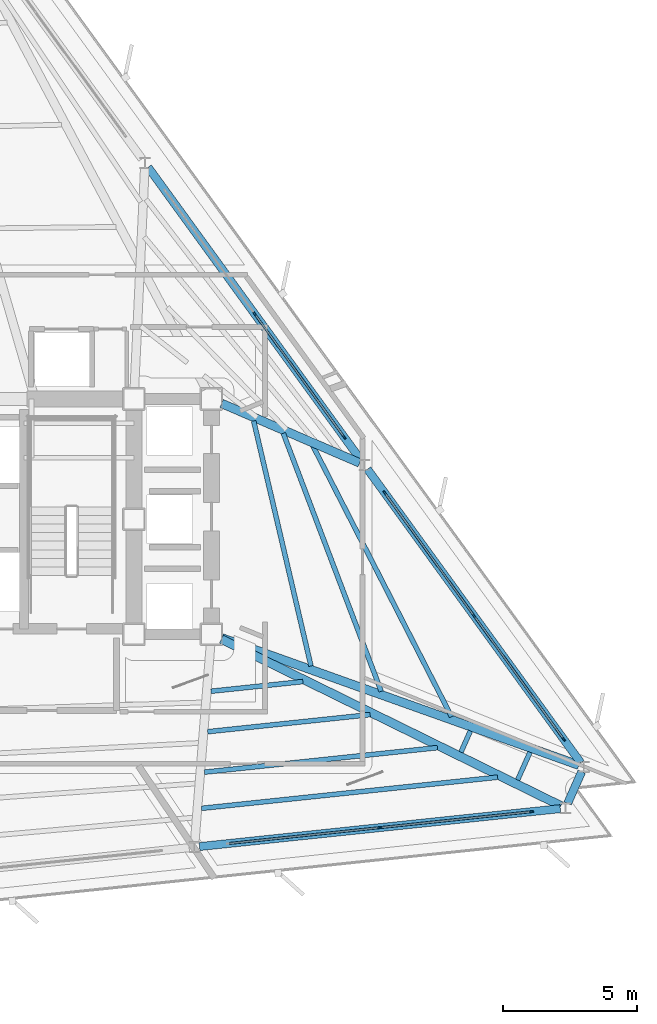
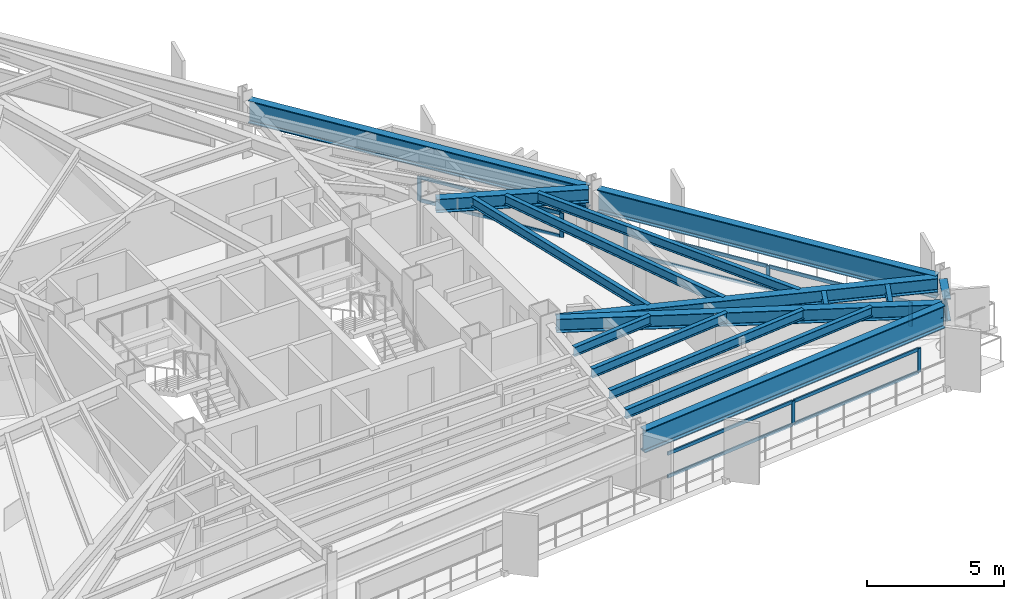
# One storey, part 5 of 13: 17 members, 16 beams, 3 elements without a shape of their own.
"""IFC4 building model written with IfcOpenShell, lengths in metres."""

from ifc_helpers import new_model, si_unit, direction, frame, origin, origin_2d, place, context, subcontext, project, spatial, rectangle, i_section, extrude, material, layer, layer_set, material_profile, profile_set, type_object, element, aggregate, save


model = new_model("IFC4")

# Units and contexts
model_context = context("Model", 3, precision=1e-05, world=origin(), true_north=direction((0.0, 1.0)))
body_context = subcontext(model_context, "Body", "Model", "MODEL_VIEW")
ifc_project = project(units=[si_unit("LENGTHUNIT", "METRE"), si_unit("AREAUNIT", "SQUARE_METRE"), si_unit("VOLUMEUNIT", "CUBIC_METRE"), si_unit("PLANEANGLEUNIT", "RADIAN"), si_unit("MASSUNIT", "GRAM", prefix="KILO")], contexts=[model_context])

# Site, building, storey
site_placement = place(None, origin())
site = spatial("IfcSite", under=ifc_project, at=site_placement, CompositionType="ELEMENT")
building_placement = place(site_placement, origin())
building = spatial("IfcBuilding", under=site, at=building_placement, Name="Rocaltana Carrier Exchange", CompositionType="ELEMENT")
storey_placement = place(building_placement, frame((0.0, 0.0, 122.8798828125)))
storey = spatial("IfcBuildingStorey", under=building, at=storey_placement, Name="L38", CompositionType="ELEMENT", Elevation=122.8798828125)

# Curtain wall, members
ifc_material_1 = material(Name="Aluminium 6063-T6", Category="aluminium")
ifc_layer = layer(ifc_material_1, 0.14990234375)
ifc_layer_set = layer_set([ifc_layer], Name="Aluminium 6063-T6")
curtain_wall_type = type_object("IfcCurtainWallType", Name="Mid-Tower Unitised Curtain Wall CW-03", PredefinedType="NOTDEFINED", material=ifc_layer_set)
curtain_wall_1_placement = place(storey_placement, origin())
curtain_wall_1 = element("IfcCurtainWall", 1, at=curtain_wall_1_placement, inside=storey, type_object=curtain_wall_type, Name="L38 CW-03 Run CW-L38-F1S1", PredefinedType="NOTDEFINED")
ifc_material_2 = material(Name="Aluminium 6063-T6", Category="aluminium")
ifc_material_profile_1 = material_profile(ifc_material_2, rectangle(XDim=0.06005859375, YDim=0.14990234375, at=origin_2d()), Name="AL-60X150")
ifc_profile_set_1 = profile_set([ifc_material_profile_1], Name="Aluminium 6063-T6")
member_type_1 = type_object("IfcMemberType", Name="CW-03 Mullion AL-60X150", PredefinedType="MULLION", material=ifc_profile_set_1)
member_1_placement = place(storey_placement, frame((22.13427734375, -8.23193359375, 0.0), z_axis=(0.0, 0.0, 1.0), x_axis=(-0.809013555195, -0.587789985889, 0.0)))
member_1 = element("IfcMember", 2, at=member_1_placement, type_object=member_type_1, Name="CW-03 mullion 1", PredefinedType="MULLION", context=body_context, shape_type="SweptSolid", body=[
    extrude(rectangle(XDim=0.06005859375, YDim=0.14990234375, at=origin_2d()), origin(), (0.0, 0.0, 1.0), 1.078125),
])
member_2_placement = place(storey_placement, frame((18.781982421875, -3.617919921875, 0.0), z_axis=(0.0, 0.0, 1.0), x_axis=(-0.809013555195, -0.587789985889, 0.0)))
member_2 = element("IfcMember", 3, at=member_2_placement, type_object=member_type_1, Name="CW-03 mullion 2", PredefinedType="MULLION", context=body_context, shape_type="SweptSolid", body=[
    extrude(rectangle(XDim=0.06005859375, YDim=0.14990234375, at=origin_2d()), origin(), (0.0, 0.0, 1.0), 1.078125),
])
member_3_placement = place(storey_placement, frame((15.429443359375, 0.99609375, 0.0), z_axis=(0.0, 0.0, 1.0), x_axis=(-0.809013555195, -0.587789985889, 0.0)))
member_3 = element("IfcMember", 4, at=member_3_placement, type_object=member_type_1, Name="CW-03 mullion 3", PredefinedType="MULLION", context=body_context, shape_type="SweptSolid", body=[
    extrude(rectangle(XDim=0.06005859375, YDim=0.14990234375, at=origin_2d()), origin(), (0.0, 0.0, 1.0), 1.078125),
])

curtain_wall_2_placement = place(storey_placement, origin())
curtain_wall_2 = element("IfcCurtainWall", 5, at=curtain_wall_2_placement, inside=storey, type_object=curtain_wall_type, Name="L38 CW-03 Run CW-L38-F1S2", PredefinedType="NOTDEFINED")
member_4_placement = place(storey_placement, frame((13.9248046875, 3.0673828125, 0.0), z_axis=(0.0, 0.0, 1.0), x_axis=(-0.809013555195, -0.587789985889, 0.0)))
member_4 = element("IfcMember", 6, at=member_4_placement, type_object=member_type_1, Name="CW-03 mullion 1", PredefinedType="MULLION", context=body_context, shape_type="SweptSolid", body=[
    extrude(rectangle(XDim=0.06005859375, YDim=0.14990234375, at=origin_2d()), origin(), (0.0, 0.0, 1.0), 1.078125),
])
member_5_placement = place(storey_placement, frame((10.572509765625, 7.681396484375, 0.0), z_axis=(0.0, 0.0, 1.0), x_axis=(-0.809013555195, -0.587789985889, 0.0)))
member_5 = element("IfcMember", 7, at=member_5_placement, type_object=member_type_1, Name="CW-03 mullion 2", PredefinedType="MULLION", context=body_context, shape_type="SweptSolid", body=[
    extrude(rectangle(XDim=0.06005859375, YDim=0.14990234375, at=origin_2d()), origin(), (0.0, 0.0, 1.0), 1.078125),
])

curtain_wall_3_placement = place(storey_placement, origin())
curtain_wall_3 = element("IfcCurtainWall", 8, at=curtain_wall_3_placement, inside=storey, type_object=curtain_wall_type, Name="L38 CW-03 Run CW-L38-F3S3", PredefinedType="NOTDEFINED")
member_6_placement = place(storey_placement, frame((15.256103515625, -11.536865234375, 0.0), z_axis=(0.0, 0.0, 1.0), x_axis=(-0.104521806959, 0.994522594952, 0.0)))
member_6 = element("IfcMember", 9, at=member_6_placement, type_object=member_type_1, Name="CW-03 mullion 2", PredefinedType="MULLION", context=body_context, shape_type="SweptSolid", body=[
    extrude(rectangle(XDim=0.06005859375, YDim=0.14990234375, at=origin_2d()), origin(), (0.0, 0.0, 1.0), 1.078125),
])
member_7_placement = place(storey_placement, frame((20.92822265625, -10.940673828125, 0.0), z_axis=(0.0, 0.0, 1.0), x_axis=(-0.104521806959, 0.994522594952, 0.0)))
member_7 = element("IfcMember", 10, at=member_7_placement, type_object=member_type_1, Name="CW-03 mullion 3", PredefinedType="MULLION", context=body_context, shape_type="SweptSolid", body=[
    extrude(rectangle(XDim=0.06005859375, YDim=0.14990234375, at=origin_2d()), origin(), (0.0, 0.0, 1.0), 1.078125),
])

# Member
ifc_material_3 = material(Name="Aluminium 6063-T6", Category="aluminium")
ifc_material_profile_2 = material_profile(ifc_material_3, rectangle(XDim=0.06005859375, YDim=0.14990234375, at=origin_2d()), Name="AL-60X150")
ifc_profile_set_2 = profile_set([ifc_material_profile_2], Name="Aluminium 6063-T6")
member_type_2 = type_object("IfcMemberType", Name="CW-03 Transom AL-60X150", PredefinedType="USERDEFINED", material=ifc_profile_set_2)
member_8_placement = place(storey_placement, frame((22.11669921875, -8.207763671875, 0.030029296875), z_axis=(-0.587803791035, 0.809003524866, 0.0), x_axis=(-0.809003524866, -0.587803791035, 0.0)))
member_8 = element("IfcMember", 11, at=member_8_placement, type_object=member_type_2, Name="CW-03 transom 1.1", ObjectType="TRANSOM", PredefinedType="USERDEFINED", context=body_context, shape_type="SweptSolid", body=[
    extrude(rectangle(XDim=0.06005859375, YDim=0.14990234375, at=origin_2d()), origin(), (0.0, 0.0, 1.0), 5.643310546875),
])

member_9_placement = place(storey_placement, frame((22.11669921875, -8.207763671875, 1.048095703125), z_axis=(-0.587803791035, 0.809003524866, 0.0), x_axis=(-0.809003524866, -0.587803791035, 0.0)))
member_9 = element("IfcMember", 12, at=member_9_placement, type_object=member_type_2, Name="CW-03 transom 1.2", ObjectType="TRANSOM", PredefinedType="USERDEFINED", context=body_context, shape_type="SweptSolid", body=[
    extrude(rectangle(XDim=0.06005859375, YDim=0.14990234375, at=origin_2d()), origin(), (0.0, 0.0, 1.0), 5.643310546875),
])

member_10_placement = place(storey_placement, frame((18.76416015625, -3.59375, 0.030029296875), z_axis=(-0.587754903167, 0.809039043436, 0.0), x_axis=(-0.809039043436, -0.587754903167, 0.0)))
member_10 = element("IfcMember", 13, at=member_10_placement, type_object=member_type_2, Name="CW-03 transom 2.1", ObjectType="TRANSOM", PredefinedType="USERDEFINED", context=body_context, shape_type="SweptSolid", body=[
    extrude(rectangle(XDim=0.06005859375, YDim=0.14990234375, at=origin_2d()), origin(), (0.0, 0.0, 1.0), 5.643310546875),
])

member_11_placement = place(storey_placement, frame((18.76416015625, -3.59375, 1.048095703125), z_axis=(-0.587754903167, 0.809039043436, 0.0), x_axis=(-0.809039043436, -0.587754903167, 0.0)))
member_11 = element("IfcMember", 14, at=member_11_placement, type_object=member_type_2, Name="CW-03 transom 2.2", ObjectType="TRANSOM", PredefinedType="USERDEFINED", context=body_context, shape_type="SweptSolid", body=[
    extrude(rectangle(XDim=0.06005859375, YDim=0.14990234375, at=origin_2d()), origin(), (0.0, 0.0, 1.0), 5.643310546875),
])

aggregate(curtain_wall_1, [member_1, member_2, member_3, member_8, member_9, member_10, member_11])

member_12_placement = place(storey_placement, frame((13.9072265625, 3.091552734375, 0.030029296875), z_axis=(-0.587803791035, 0.809003524866, 0.0), x_axis=(-0.809003524866, -0.587803791035, 0.0)))
member_12 = element("IfcMember", 15, at=member_12_placement, type_object=member_type_2, Name="CW-03 transom 1.1", ObjectType="TRANSOM", PredefinedType="USERDEFINED", context=body_context, shape_type="SweptSolid", body=[
    extrude(rectangle(XDim=0.06005859375, YDim=0.14990234375, at=origin_2d()), origin(), (0.0, 0.0, 1.0), 5.643310546875),
])

member_13_placement = place(storey_placement, frame((13.9072265625, 3.091552734375, 1.048095703125), z_axis=(-0.587803791035, 0.809003524866, 0.0), x_axis=(-0.809003524866, -0.587803791035, 0.0)))
member_13 = element("IfcMember", 16, at=member_13_placement, type_object=member_type_2, Name="CW-03 transom 1.2", ObjectType="TRANSOM", PredefinedType="USERDEFINED", context=body_context, shape_type="SweptSolid", body=[
    extrude(rectangle(XDim=0.06005859375, YDim=0.14990234375, at=origin_2d()), origin(), (0.0, 0.0, 1.0), 5.643310546875),
])

aggregate(curtain_wall_2, [member_4, member_5, member_12, member_13])

member_14_placement = place(storey_placement, frame((9.614013671875, -12.129638671875, 0.030029296875), z_axis=(0.99452250772, 0.104522636969, 0.0), x_axis=(-0.104522636969, 0.99452250772, 0.0)))
member_14 = element("IfcMember", 17, at=member_14_placement, type_object=member_type_2, Name="CW-03 transom 1.1", ObjectType="TRANSOM", PredefinedType="USERDEFINED", context=body_context, shape_type="SweptSolid", body=[
    extrude(rectangle(XDim=0.06005859375, YDim=0.14990234375, at=origin_2d()), origin(), (0.0, 0.0, 1.0), 5.643310546875),
])

member_15_placement = place(storey_placement, frame((9.614013671875, -12.129638671875, 1.048095703125), z_axis=(0.99452250772, 0.104522636969, 0.0), x_axis=(-0.104522636969, 0.99452250772, 0.0)))
member_15 = element("IfcMember", 18, at=member_15_placement, type_object=member_type_2, Name="CW-03 transom 1.2", ObjectType="TRANSOM", PredefinedType="USERDEFINED", context=body_context, shape_type="SweptSolid", body=[
    extrude(rectangle(XDim=0.06005859375, YDim=0.14990234375, at=origin_2d()), origin(), (0.0, 0.0, 1.0), 5.643310546875),
])

member_16_placement = place(storey_placement, frame((15.285888671875, -11.53369140625, 0.030029296875), z_axis=(0.994522980333, 0.104518140001, 0.0), x_axis=(-0.104518140001, 0.994522980333, 0.0)))
member_16 = element("IfcMember", 19, at=member_16_placement, type_object=member_type_2, Name="CW-03 transom 2.1", ObjectType="TRANSOM", PredefinedType="USERDEFINED", context=body_context, shape_type="SweptSolid", body=[
    extrude(rectangle(XDim=0.06005859375, YDim=0.14990234375, at=origin_2d()), origin(), (0.0, 0.0, 1.0), 5.6435546875),
])

member_17_placement = place(storey_placement, frame((15.285888671875, -11.53369140625, 1.048095703125), z_axis=(0.994522980333, 0.104518140001, 0.0), x_axis=(-0.104518140001, 0.994522980333, 0.0)))
member_17 = element("IfcMember", 20, at=member_17_placement, type_object=member_type_2, Name="CW-03 transom 2.2", ObjectType="TRANSOM", PredefinedType="USERDEFINED", context=body_context, shape_type="SweptSolid", body=[
    extrude(rectangle(XDim=0.06005859375, YDim=0.14990234375, at=origin_2d()), origin(), (0.0, 0.0, 1.0), 5.6435546875),
])

aggregate(curtain_wall_3, [member_6, member_7, member_14, member_15, member_16, member_17])

# Beams
ifc_material_4 = material(Name="Steel S355", Category="steel")
ifc_material_profile_3 = material_profile(ifc_material_4, i_section(OverallWidth=0.179931640625, OverallDepth=0.4130859375, WebThickness=0.009765625, FlangeThickness=0.01611328125, FilletRadius=0.012939453125, at=origin_2d()), Name="W16X50")
ifc_profile_set_3 = profile_set([ifc_material_profile_3], Name="Steel S355")
beam_type_1 = type_object("IfcBeamType", Name="Floor Joist W16X50", PredefinedType="JOIST", material=ifc_profile_set_3)
beam_1_placement = place(storey_placement, frame((12.67724609375, -5.489501953125, 2.41162109375), z_axis=(-0.227766297883, 0.973715827924, 0.0), x_axis=(-0.973715827924, -0.227766297883, 0.0)))
element("IfcBeam", 21, at=beam_1_placement, inside=storey, type_object=beam_type_1, Name="FJ-L38-01-1", PredefinedType="JOIST", context=body_context, shape_type="SweptSolid", body=[
    extrude(i_section(OverallWidth=0.179931640625, OverallDepth=0.4130859375, WebThickness=0.009765625, FlangeThickness=0.01611328125, FilletRadius=0.012939453125, at=origin_2d()), origin(), (0.0, 0.0, 1.0), 9.418701171875),
])
beam_2_placement = place(storey_placement, frame((15.305419921875, -6.439208984375, 2.41162109375), z_axis=(-0.35483732757, 0.934928056571, 0.0), x_axis=(-0.934928056571, -0.35483732757, 0.0)))
element("IfcBeam", 22, at=beam_2_placement, inside=storey, type_object=beam_type_1, Name="FJ-L38-01-2", PredefinedType="JOIST", context=body_context, shape_type="SweptSolid", body=[
    extrude(i_section(OverallWidth=0.179931640625, OverallDepth=0.4130859375, WebThickness=0.009765625, FlangeThickness=0.01611328125, FilletRadius=0.012939453125, at=origin_2d()), origin(), (0.0, 0.0, 1.0), 10.330078125),
])
beam_3_placement = place(storey_placement, frame((17.937744140625, -7.39013671875, 2.41162109375), z_axis=(-0.455649490969, 0.890159278657, 0.0), x_axis=(-0.890159278657, -0.455649490969, 0.0)))
element("IfcBeam", 23, at=beam_3_placement, inside=storey, type_object=beam_type_1, Name="FJ-L38-01-3", PredefinedType="JOIST", context=body_context, shape_type="SweptSolid", body=[
    extrude(i_section(OverallWidth=0.179931640625, OverallDepth=0.4130859375, WebThickness=0.009765625, FlangeThickness=0.01611328125, FilletRadius=0.012939453125, at=origin_2d()), origin(), (0.0, 0.0, 1.0), 11.398681640625),
])
beam_4_placement = place(storey_placement, frame((8.9326171875, -6.434814453125, 2.41162109375), z_axis=(0.994514730504, 0.104596609936, 0.0), x_axis=(-0.104596609936, 0.994514730504, 0.0)))
element("IfcBeam", 24, at=beam_4_placement, inside=storey, type_object=beam_type_1, Name="FJ-L38-11-1", PredefinedType="JOIST", context=body_context, shape_type="SweptSolid", body=[
    extrude(i_section(OverallWidth=0.179931640625, OverallDepth=0.4130859375, WebThickness=0.009765625, FlangeThickness=0.01611328125, FilletRadius=0.012939453125, at=origin_2d()), origin(), (0.0, 0.0, 1.0), 3.459228515625),
])
beam_5_placement = place(storey_placement, frame((8.811279296875, -7.948486328125, 2.41162109375), z_axis=(0.994518139026, 0.104564196304, 0.0), x_axis=(-0.104564196304, 0.994518139026, 0.0)))
element("IfcBeam", 25, at=beam_5_placement, inside=storey, type_object=beam_type_1, Name="FJ-L38-11-2", PredefinedType="JOIST", context=body_context, shape_type="SweptSolid", body=[
    extrude(i_section(OverallWidth=0.179931640625, OverallDepth=0.4130859375, WebThickness=0.009765625, FlangeThickness=0.01611328125, FilletRadius=0.012939453125, at=origin_2d()), origin(), (0.0, 0.0, 1.0), 6.112548828125),
])
beam_6_placement = place(storey_placement, frame((8.68994140625, -9.4619140625, 2.41162109375), z_axis=(0.994522683524, 0.104520964191, 0.0), x_axis=(-0.104520964191, 0.994522683524, 0.0)))
element("IfcBeam", 26, at=beam_6_placement, inside=storey, type_object=beam_type_1, Name="FJ-L38-11-3", PredefinedType="JOIST", context=body_context, shape_type="SweptSolid", body=[
    extrude(i_section(OverallWidth=0.179931640625, OverallDepth=0.4130859375, WebThickness=0.009765625, FlangeThickness=0.01611328125, FilletRadius=0.012939453125, at=origin_2d()), origin(), (0.0, 0.0, 1.0), 8.766357421875),
])
beam_7_placement = place(storey_placement, frame((8.581298828125, -10.81640625, 2.41162109375), z_axis=(0.994521531783, 0.104531922494, 0.0), x_axis=(-0.104531922494, 0.994521531783, 0.0)))
element("IfcBeam", 27, at=beam_7_placement, inside=storey, type_object=beam_type_1, Name="FJ-L38-11-4", PredefinedType="JOIST", context=body_context, shape_type="SweptSolid", body=[
    extrude(i_section(OverallWidth=0.179931640625, OverallDepth=0.4130859375, WebThickness=0.009765625, FlangeThickness=0.01611328125, FilletRadius=0.012939453125, at=origin_2d()), origin(), (0.0, 0.0, 1.0), 11.140625),
])
beam_8_placement = place(storey_placement, frame((18.289306640625, -8.71240234375, 2.41162109375), z_axis=(0.406686773762, 0.913567659261, 0.0), x_axis=(-0.913567659261, 0.406686773762, 0.0)))
element("IfcBeam", 28, at=beam_8_placement, inside=storey, type_object=beam_type_1, Name="FJ-L38-12-3", PredefinedType="JOIST", context=body_context, shape_type="SweptSolid", body=[
    extrude(i_section(OverallWidth=0.179931640625, OverallDepth=0.4130859375, WebThickness=0.009765625, FlangeThickness=0.01611328125, FilletRadius=0.012939453125, at=origin_2d()), origin(), (0.0, 0.0, 1.0), 0.867431640625),
])
beam_9_placement = place(storey_placement, frame((20.409423828125, -9.75341796875, 2.41162109375), z_axis=(0.40683553357, 0.913501422344, 0.0), x_axis=(-0.913501422344, 0.40683553357, 0.0)))
element("IfcBeam", 29, at=beam_9_placement, inside=storey, type_object=beam_type_1, Name="FJ-L38-12-4", PredefinedType="JOIST", context=body_context, shape_type="SweptSolid", body=[
    extrude(i_section(OverallWidth=0.179931640625, OverallDepth=0.4130859375, WebThickness=0.009765625, FlangeThickness=0.01611328125, FilletRadius=0.012939453125, at=origin_2d()), origin(), (0.0, 0.0, 1.0), 1.13720703125),
])
ifc_material_5 = material(Name="Steel S355", Category="steel")
ifc_material_profile_4 = material_profile(ifc_material_5, i_section(OverallWidth=0.323974609375, OverallDepth=0.611083984375, WebThickness=0.0126953125, FlangeThickness=0.01904296875, FilletRadius=0.01611328125, at=origin_2d()), Name="W24X104")
ifc_profile_set_4 = profile_set([ifc_material_profile_4], Name="Steel S355")
beam_type_2 = type_object("IfcBeamType", Name="Radial Girder W24X104", PredefinedType="BEAM", material=ifc_profile_set_4)
beam_10_placement = place(storey_placement, frame((9.3427734375, -4.43994140625, 2.3125), z_axis=(0.941948523593, -0.335757321441, 0.0), x_axis=(0.335757321441, 0.941948523593, 0.0)))
element("IfcBeam", 30, at=beam_10_placement, inside=storey, type_object=beam_type_2, Name="RG-L38-01", PredefinedType="BEAM", context=body_context, shape_type="SweptSolid", body=[
    extrude(i_section(OverallWidth=0.323974609375, OverallDepth=0.611083984375, WebThickness=0.0126953125, FlangeThickness=0.01904296875, FilletRadius=0.01611328125, at=origin_2d()), origin(), (0.0, 0.0, 1.0), 14.18359375),
])
beam_11_placement = place(storey_placement, frame((9.3330078125, 4.3349609375, 2.3125), z_axis=(0.918339320376, -0.395794002798, 0.0), x_axis=(0.395794002798, 0.918339320376, 0.0)))
element("IfcBeam", 31, at=beam_11_placement, inside=storey, type_object=beam_type_2, Name="RG-L38-02", PredefinedType="BEAM", context=body_context, shape_type="SweptSolid", body=[
    extrude(i_section(OverallWidth=0.323974609375, OverallDepth=0.611083984375, WebThickness=0.0126953125, FlangeThickness=0.01904296875, FilletRadius=0.01611328125, at=origin_2d()), origin(), (0.0, 0.0, 1.0), 5.624267578125),
])
beam_12_placement = place(storey_placement, frame((9.32421875, -4.48388671875, 2.3125), z_axis=(0.897623430204, -0.440763176263, 0.0), x_axis=(0.440763176263, 0.897623430204, 0.0)))
element("IfcBeam", 32, at=beam_12_placement, inside=storey, type_object=beam_type_2, Name="RG-L38-12", PredefinedType="BEAM", context=body_context, shape_type="SweptSolid", body=[
    extrude(i_section(OverallWidth=0.323974609375, OverallDepth=0.611083984375, WebThickness=0.0126953125, FlangeThickness=0.01904296875, FilletRadius=0.01611328125, at=origin_2d()), origin(), (0.0, 0.0, 1.0), 14.150634765625),
])
ifc_material_6 = material(Name="Steel S460", Category="steel")
ifc_material_profile_5 = material_profile(ifc_material_6, i_section(OverallWidth=0.302001953125, OverallDepth=1.008056640625, WebThickness=0.02099609375, FlangeThickness=0.0400390625, FilletRadius=0.030029296875, at=origin_2d()), Name="HEM1000")
ifc_profile_set_5 = profile_set([ifc_material_profile_5], Name="Steel S460")
beam_type_3 = type_object("IfcBeamType", Name="Transfer Ring Girder HEM1000", PredefinedType="USERDEFINED", material=ifc_profile_set_5)
beam_13_placement = place(storey_placement, frame((22.77197265625, -9.10986328125, 2.114013671875), z_axis=(-0.587792057578, 0.809012050002, 0.0), x_axis=(-0.809012050002, -0.587792057578, 0.0)))
element("IfcBeam", 33, at=beam_13_placement, inside=storey, type_object=beam_type_3, Name="SP-L38-01", ObjectType="TRANSFER GIRDER", PredefinedType="USERDEFINED", context=body_context, shape_type="SweptSolid", body=[
    extrude(i_section(OverallWidth=0.302001953125, OverallDepth=1.008056640625, WebThickness=0.02099609375, FlangeThickness=0.0400390625, FilletRadius=0.030029296875, at=origin_2d()), origin(), (0.0, 0.0, 1.0), 13.57666015625),
])
beam_14_placement = place(storey_placement, frame((14.5625, 2.189453125, 2.114013671875), z_axis=(-0.587780287875, 0.809020601212, 0.0), x_axis=(-0.809020601212, -0.587780287875, 0.0)))
element("IfcBeam", 34, at=beam_14_placement, inside=storey, type_object=beam_type_3, Name="SP-L38-02", ObjectType="TRANSFER GIRDER", PredefinedType="USERDEFINED", context=body_context, shape_type="SweptSolid", body=[
    extrude(i_section(OverallWidth=0.302001953125, OverallDepth=1.008056640625, WebThickness=0.02099609375, FlangeThickness=0.0400390625, FilletRadius=0.030029296875, at=origin_2d()), origin(), (0.0, 0.0, 1.0), 13.576416015625),
])
beam_15_placement = place(storey_placement, frame((8.5048828125, -12.246337890625, 2.114013671875), z_axis=(0.994521698777, 0.104530333689, 0.0), x_axis=(-0.104530333689, 0.994521698777, 0.0)))
element("IfcBeam", 35, at=beam_15_placement, inside=storey, type_object=beam_type_3, Name="SP-L38-11", ObjectType="TRANSFER GIRDER", PredefinedType="USERDEFINED", context=body_context, shape_type="SweptSolid", body=[
    extrude(i_section(OverallWidth=0.302001953125, OverallDepth=1.008056640625, WebThickness=0.02099609375, FlangeThickness=0.0400390625, FilletRadius=0.030029296875, at=origin_2d()), origin(), (0.0, 0.0, 1.0), 13.576904296875),
])
beam_16_placement = place(storey_placement, frame((22.280517578125, -10.628662109375, 2.114013671875), z_axis=(0.406873064425, 0.913484706738, 0.0), x_axis=(-0.913484706738, 0.406873064425, 0.0)))
element("IfcBeam", 36, at=beam_16_placement, inside=storey, type_object=beam_type_3, Name="SP-L38-12", ObjectType="TRANSFER GIRDER", PredefinedType="USERDEFINED", context=body_context, shape_type="SweptSolid", body=[
    extrude(i_section(OverallWidth=0.302001953125, OverallDepth=1.008056640625, WebThickness=0.02099609375, FlangeThickness=0.0400390625, FilletRadius=0.030029296875, at=origin_2d()), origin(), (0.0, 0.0, 1.0), 1.294921875),
])

save(model, "model.ifc")
